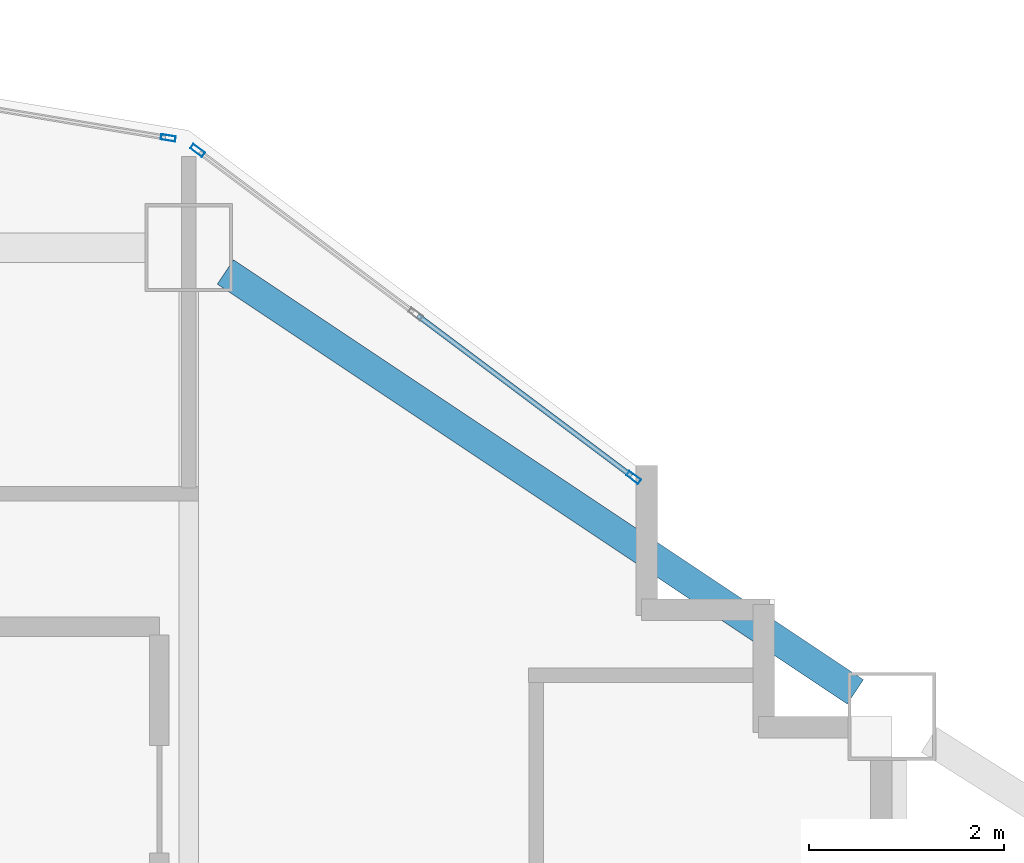
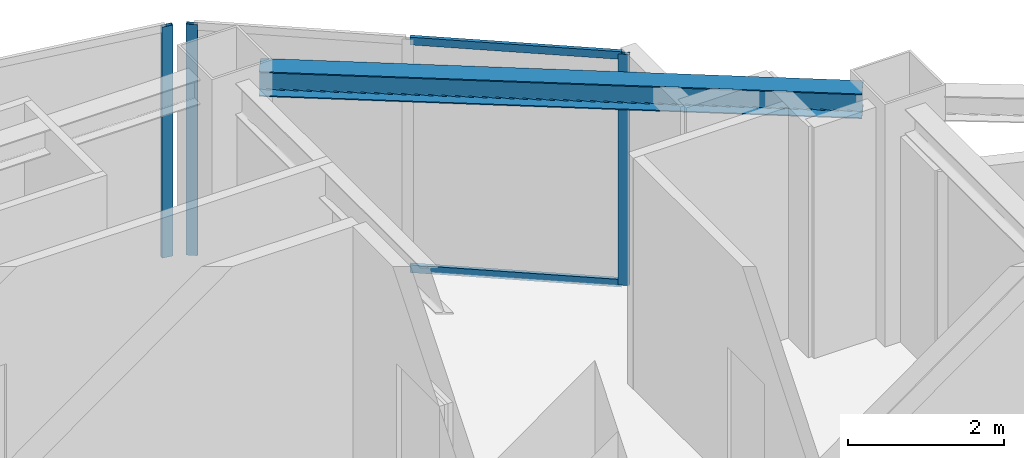
# One storey, part 3 of 11: 5 members, 1 beam, 2 elements without a shape of their own.
"""IFC4 building model written with IfcOpenShell, lengths in metres."""

import ifcopenshell
import ifcopenshell.guid

model = None  # the IFC model being written
_history = None  # IfcOwnerHistory: only IFC2X3 demands one
_inside = {}  # id of a spatial element -> (the spatial element, [elements in it])
_under = {}  # id of a project, library or spatial element -> (it, [spatial elements below it])
_declared = {}  # id of a project -> (the project, [libraries it declares])
_typed = {}  # id of a type object -> (the type object, [elements of that type])
_made_of = {}  # id of a material, layer set ... -> (it, [elements and type objects made of it])


def new_model(schema):
    """Start an empty IFC model of exactly this schema.

    Asked for "IFC4X3", IfcOpenShell would pick the latest addendum, in which some entities
    have other attributes; the version numbers below select the first issue.
    IFC2X3 requires an IfcOwnerHistory on every rooted entity: one is made here for all.
    """
    global model, _history
    if schema == "IFC4X3":
        model = ifcopenshell.file(schema_version=(4, 3, 0, 0))
    else:
        model = ifcopenshell.file(schema=schema)
    _inside.clear()
    _under.clear()
    _declared.clear()
    _typed.clear()
    _made_of.clear()
    _history = None
    if model.schema == "IFC2X3":
        org = make("IfcOrganization", Name="unknown")
        user = make(
            "IfcPersonAndOrganization",
            ThePerson=make("IfcPerson", FamilyName="unknown"),
            TheOrganization=org,
        )
        app = make(
            "IfcApplication",
            ApplicationDeveloper=org,
            Version="unknown",
            ApplicationFullName="unknown",
            ApplicationIdentifier="unknown",
        )
        _history = make(
            "IfcOwnerHistory",
            OwningUser=user,
            OwningApplication=app,
            ChangeAction="ADDED",
            CreationDate=0,
        )
    return model


def make(cls, **values):
    """One entity of the class cls with the attributes given. An attribute that is None is left unset."""
    return model.create_entity(
        cls, **{name: value for name, value in values.items() if value is not None}
    )


def rooted(cls, **values):
    """An entity with a GlobalId (a new one), such as an element, a storey or a relation."""
    return make(cls, GlobalId=ifcopenshell.guid.new(), OwnerHistory=_history, **values)


def si_unit(unit_type, name, prefix=None):
    """IfcSIUnit, for example si_unit("LENGTHUNIT", "METRE", prefix="MILLI")."""
    return make("IfcSIUnit", UnitType=unit_type, Prefix=prefix, Name=name)


def assignment(units):
    """IfcUnitAssignment: the units of a project."""
    return None if units is None else make("IfcUnitAssignment", Units=units)


def point(xyz):
    """IfcCartesianPoint."""
    return None if xyz is None else make("IfcCartesianPoint", Coordinates=xyz)


def direction(xyz):
    """IfcDirection."""
    return None if xyz is None else make("IfcDirection", DirectionRatios=xyz)


def frame(location, z_axis=None, x_axis=None):
    """IfcAxis2Placement3D, a coordinate frame: its origin and axes. An axis left out is left unset."""
    return make(
        "IfcAxis2Placement3D",
        Location=point(location),
        Axis=direction(z_axis),
        RefDirection=direction(x_axis),
    )


def frame_2d(location, x_axis=None):
    """IfcAxis2Placement2D, a coordinate frame in the plane: its origin and x axis."""
    return make(
        "IfcAxis2Placement2D", Location=point(location), RefDirection=direction(x_axis)
    )


def origin():
    """The frame at (0, 0, 0) with its axes left unset."""
    return frame((0.0, 0.0, 0.0))


def origin_2d():
    """The frame at (0, 0) in the plane with its x axis left unset."""
    return frame_2d((0.0, 0.0))


def place(relative_to, where):
    """IfcLocalPlacement: puts the frame where relative to a parent placement (None: the world)."""
    return make(
        "IfcLocalPlacement", PlacementRelTo=relative_to, RelativePlacement=where
    )


def context(
    kind, dimensions, precision=None, world=None, true_north=None, identifier=None
):
    """IfcGeometricRepresentationContext, for example the 3D "Model" context."""
    return make(
        "IfcGeometricRepresentationContext",
        ContextIdentifier=identifier,
        ContextType=kind,
        CoordinateSpaceDimension=dimensions,
        Precision=precision,
        WorldCoordinateSystem=world,
        TrueNorth=true_north,
    )


def subcontext(parent, identifier, kind, view, scale=None):
    """IfcGeometricRepresentationSubContext, for example "Body" below "Model"."""
    return make(
        "IfcGeometricRepresentationSubContext",
        ContextIdentifier=identifier,
        ContextType=kind,
        ParentContext=parent,
        TargetScale=scale,
        TargetView=view,
    )


def project(units=None, contexts=None):
    """IfcProject with its units and contexts."""
    return rooted(
        "IfcProject",
        Name="project",
        RepresentationContexts=contexts,
        UnitsInContext=assignment(units),
    )


def spatial(cls, under=None, at=None, **own):
    """A site, building, storey or space (cls), placed at a placement, below another one or the project."""
    s = rooted(cls, ObjectPlacement=at, **own)
    if under is not None:
        _under.setdefault(under.id(), (under, []))[1].append(s)
    return s


def profile(cls, at=None, kind="AREA", **sizes):
    """A parametric profile (cls). Its sizes go by their IFC names, for example OverallWidth=200.0."""
    return make(cls, ProfileType=kind, Position=at, **sizes)


def hollow_rectangle(**sizes):
    """IfcRectangleHollowProfileDef."""
    return profile("IfcRectangleHollowProfileDef", **sizes)


def i_section(**sizes):
    """IfcIShapeProfileDef."""
    return profile("IfcIShapeProfileDef", **sizes)


def extrude(swept, where, along, depth):
    """IfcExtrudedAreaSolid: the profile swept, set in the frame where, extruded along a direction by depth."""
    return make(
        "IfcExtrudedAreaSolid",
        SweptArea=swept,
        Position=where,
        ExtrudedDirection=direction(along),
        Depth=depth,
    )


def shape(context_of_items, identifier, shape_type, items):
    """IfcShapeRepresentation: the items that make up one representation, for example the "Body"."""
    return make(
        "IfcShapeRepresentation",
        ContextOfItems=context_of_items,
        RepresentationIdentifier=identifier,
        RepresentationType=shape_type,
        Items=items,
    )


def material(Name=None, Category=None):
    """IfcMaterial."""
    return make("IfcMaterial", Name=Name, Category=Category)


def layer(
    of_material, thickness, ventilated=None, Name=None, Category=None, Priority=None
):
    """IfcMaterialLayer: one layer of a wall or slab, of a material (None: an air gap)."""
    return make(
        "IfcMaterialLayer",
        Material=of_material,
        LayerThickness=thickness,
        IsVentilated=ventilated,
        Name=Name,
        Category=Category,
        Priority=Priority,
    )


def layer_set(layers, Name=None):
    """IfcMaterialLayerSet."""
    return make("IfcMaterialLayerSet", MaterialLayers=layers, LayerSetName=Name)


def material_profile(
    of_material, cross_section, Name=None, Category=None, Priority=None
):
    """IfcMaterialProfile: a cross section and its material."""
    return make(
        "IfcMaterialProfile",
        Name=Name,
        Material=of_material,
        Profile=cross_section,
        Priority=Priority,
        Category=Category,
    )


def profile_set(profiles, Name=None, composite=None):
    """IfcMaterialProfileSet."""
    return make(
        "IfcMaterialProfileSet",
        Name=Name,
        MaterialProfiles=profiles,
        CompositeProfile=composite,
    )


def made_of(thing, what):
    """Note that an element or type object is made of a material, layer set ...; save() writes the relation."""
    if what is not None:
        _made_of.setdefault(what.id(), (what, []))[1].append(thing)
    return thing


def type_object(cls, material=None, **own):
    """A type object (cls), such as IfcWallType, which elements share."""
    return made_of(rooted(cls, **own), material)


def element(
    cls,
    number,
    at=None,
    inside=None,
    cuts=None,
    type_object=None,
    material=None,
    context=None,
    identifier="Body",
    shape_type=None,
    held_by="IfcProductDefinitionShape",
    body=None,
    shapes=None,
    **own,
):
    """One element of the class cls, such as IfcWall. Its Tag is "e" and its number.

    at: its placement. inside: the storey or other place that contains it. cuts: it is an
    opening in that element (IfcRelVoidsElement). A single representation is given by context,
    identifier, shape_type and body (its items); several are given by shapes. held_by: the class
    of the entity that holds the representations. save() writes the other relations.
    """
    e = rooted(cls, Tag="e%d" % number, ObjectPlacement=at, **own)
    if body is not None:
        shapes = [shape(context, identifier, shape_type, body)]
    if shapes is not None:
        e.Representation = make(held_by, Representations=shapes)
    if inside is not None:
        _inside.setdefault(inside.id(), (inside, []))[1].append(e)
    if cuts is not None:
        rooted(
            "IfcRelVoidsElement", RelatingBuildingElement=cuts, RelatedOpeningElement=e
        )
    if type_object is not None:
        _typed.setdefault(type_object.id(), (type_object, []))[1].append(e)
    return made_of(e, material)


def aggregate(whole, parts):
    """IfcRelAggregates: a whole, such as a stair, and the parts it consists of."""
    return rooted("IfcRelAggregates", RelatingObject=whole, RelatedObjects=parts)


def save(model, path):
    """Write the relations noted so far, then the file.

    IfcRelAggregates (storeys below a building ...), IfcRelContainedInSpatialStructure (elements
    in a storey), IfcRelDefinesByType, IfcRelAssociatesMaterial and IfcRelDeclares: one each for
    every whole, place, type object, material and project.
    """
    for whole, parts in _under.values():
        aggregate(whole, parts)
    for where, things in _inside.values():
        rooted(
            "IfcRelContainedInSpatialStructure",
            RelatedElements=things,
            RelatingStructure=where,
        )
    for kind, things in _typed.values():
        rooted("IfcRelDefinesByType", RelatedObjects=things, RelatingType=kind)
    for what, things in _made_of.values():
        rooted("IfcRelAssociatesMaterial", RelatedObjects=things, RelatingMaterial=what)
    for by, libraries in _declared.values():
        rooted("IfcRelDeclares", RelatingContext=by, RelatedDefinitions=libraries)
    model.write(path)


model = new_model("IFC4")

# Units and contexts
model_context = context("Model", 3, precision=1e-05, world=origin(), true_north=direction((0.0, 1.0)))
body_context = subcontext(model_context, "Body", "Model", "MODEL_VIEW")
ifc_project = project(units=[si_unit("LENGTHUNIT", "METRE"), si_unit("AREAUNIT", "SQUARE_METRE"), si_unit("VOLUMEUNIT", "CUBIC_METRE"), si_unit("PLANEANGLEUNIT", "RADIAN"), si_unit("MASSUNIT", "GRAM", prefix="KILO")], contexts=[model_context])

# Site, building, storey
site_placement = place(None, origin())
site = spatial("IfcSite", under=ifc_project, at=site_placement, CompositionType="ELEMENT")
building_placement = place(site_placement, origin())
building = spatial("IfcBuilding", under=site, at=building_placement, Name="Haolan Belvedere Tower", CompositionType="ELEMENT")
storey_placement = place(building_placement, frame((0.0, 0.0, 191.800048828125)))
storey = spatial("IfcBuildingStorey", under=building, at=storey_placement, Name="L48", CompositionType="ELEMENT", Elevation=191.800048828125)

# Beam
ifc_material_1 = material(Name="Steel Q355B", Category="steel")
ifc_material_profile_1 = material_profile(ifc_material_1, i_section(OverallWidth=0.300048828125, OverallDepth=0.389892578125, WebThickness=0.010009765625, FlangeThickness=0.01611328125, FilletRadius=0.02197265625, at=origin_2d()), Name="Steel Q355B")
ifc_profile_set_1 = profile_set([ifc_material_profile_1], Name="Steel Q355B")
beam_type = type_object("IfcBeamType", Name="BM-HM390x300x10x16", PredefinedType="SPANDREL", material=ifc_profile_set_1)
beam_placement = place(storey_placement, frame((45.974365234375, 50.150390625, 3.425048828125), z_axis=(0.832050294338, -0.554700196225, 0.0), x_axis=(0.554700196225, 0.832050294338, 0.0)))
element("IfcBeam", 1, at=beam_placement, inside=storey, type_object=beam_type, Name="L48 spandrel girder MC-T3-N2-MC-T3-NE", PredefinedType="SPANDREL", context=body_context, shape_type="SweptSolid", body=[
    extrude(i_section(OverallWidth=0.300048828125, OverallDepth=0.389892578125, WebThickness=0.010009765625, FlangeThickness=0.01611328125, FilletRadius=0.02197265625, at=origin_2d()), origin(), (0.0, 0.0, 1.0), 7.75341796875),
])

# Curtain wall, members
ifc_material_2 = material(Name="Anodised champagne-silver aluminium 6063-T6 and Low-E glass", Category="aluminium")
ifc_layer = layer(ifc_material_2, 0.14990234375, Name="Anodised champagne-silver aluminium 6063-T6 and Low-E glass")
ifc_layer_set = layer_set([ifc_layer], Name="Anodised champagne-silver aluminium 6063-T6 and Low-E glass")
curtain_wall_type = type_object("IfcCurtainWallType", Name="CW-SYS-04", PredefinedType="NOTDEFINED", material=ifc_layer_set)
curtain_wall_1_placement = place(storey_placement, origin())
curtain_wall_1 = element("IfcCurtainWall", 2, at=curtain_wall_1_placement, inside=storey, type_object=curtain_wall_type, Name="L48 CW-SYS-04 ribbon curtain wall 20.1", PredefinedType="NOTDEFINED")
ifc_material_3 = material(Name="Anodised aluminium 6063-T6", Category="aluminium")
ifc_material_profile_2 = material_profile(ifc_material_3, hollow_rectangle(XDim=0.055908203125, YDim=0.14990234375, WallThickness=0.00390625, at=origin_2d()), Name="Anodised aluminium 6063-T6")
ifc_profile_set_2 = profile_set([ifc_material_profile_2], Name="Anodised aluminium 6063-T6")
member_type_1 = type_object("IfcMemberType", Name="CW-SYS-04-MUL", PredefinedType="MULLION", material=ifc_profile_set_2)
member_1_placement = place(storey_placement, frame((50.155517578125, 48.0458984375, 0.0), z_axis=(0.0, 0.0, 1.0), x_axis=(-0.600002837806, -0.799997871638, 0.0)))
member_1 = element("IfcMember", 3, at=member_1_placement, type_object=member_type_1, Name="CW-04 mullion 1", PredefinedType="MULLION", context=body_context, shape_type="SweptSolid", body=[
    extrude(hollow_rectangle(XDim=0.055908203125, YDim=0.14990234375, WallThickness=0.00390625, at=origin_2d()), origin(), (0.0, 0.0, 1.0), 3.619873046875),
])
member_2_placement = place(storey_placement, frame((45.68994140625, 51.39501953125, 0.0), z_axis=(0.0, 0.0, 1.0), x_axis=(-0.600002837806, -0.799997871638, 0.0)))
member_2 = element("IfcMember", 4, at=member_2_placement, type_object=member_type_1, Name="CW-04 mullion 3", PredefinedType="MULLION", context=body_context, shape_type="SweptSolid", body=[
    extrude(hollow_rectangle(XDim=0.055908203125, YDim=0.14990234375, WallThickness=0.00390625, at=origin_2d()), origin(), (0.0, 0.0, 1.0), 3.619873046875),
])

# Curtain wall, member
curtain_wall_2_placement = place(storey_placement, origin())
curtain_wall_2 = element("IfcCurtainWall", 5, at=curtain_wall_2_placement, inside=storey, type_object=curtain_wall_type, Name="L48 CW-SYS-04 ribbon curtain wall 21.1", PredefinedType="NOTDEFINED")
member_3_placement = place(storey_placement, frame((45.389892578125, 51.5234375, 0.0), z_axis=(0.0, 0.0, 1.0), x_axis=(-0.164405962825, -0.98639276122, 0.0)))
member_3 = element("IfcMember", 6, at=member_3_placement, type_object=member_type_1, Name="CW-04 mullion 1", PredefinedType="MULLION", context=body_context, shape_type="SweptSolid", body=[
    extrude(hollow_rectangle(XDim=0.055908203125, YDim=0.14990234375, WallThickness=0.00390625, at=origin_2d()), origin(), (0.0, 0.0, 1.0), 3.619873046875),
])
aggregate(curtain_wall_2, [member_3])

# Member
ifc_material_profile_3 = material_profile(ifc_material_3, hollow_rectangle(XDim=0.052001953125, YDim=0.1201171875, WallThickness=0.00390625, at=origin_2d()), Name="Anodised aluminium 6063-T6")
ifc_profile_set_3 = profile_set([ifc_material_profile_3], Name="Anodised aluminium 6063-T6")
member_type_2 = type_object("IfcMemberType", Name="CW-SYS-04-TRN", PredefinedType="USERDEFINED", material=ifc_profile_set_3)
member_4_placement = place(storey_placement, frame((50.13330078125, 48.0625, 0.02587890625), z_axis=(-0.800010710715, 0.59998571878, 0.0), x_axis=(-0.59998571878, -0.800010710715, 0.0)))
member_4 = element("IfcMember", 7, at=member_4_placement, type_object=member_type_2, Name="CW-04 transom 1.1", ObjectType="TRANSOM", PredefinedType="USERDEFINED", context=body_context, shape_type="SweptSolid", body=[
    extrude(hollow_rectangle(XDim=0.052001953125, YDim=0.1201171875, WallThickness=0.00390625, at=origin_2d()), origin(), (0.0, 0.0, 1.0), 2.7353515625),
])

member_5_placement = place(storey_placement, frame((50.13330078125, 48.0625, 3.593994140625), z_axis=(-0.800010710715, 0.59998571878, 0.0), x_axis=(-0.59998571878, -0.800010710715, 0.0)))
member_5 = element("IfcMember", 8, at=member_5_placement, type_object=member_type_2, Name="CW-04 transom 1.2", ObjectType="TRANSOM", PredefinedType="USERDEFINED", context=body_context, shape_type="SweptSolid", body=[
    extrude(hollow_rectangle(XDim=0.052001953125, YDim=0.1201171875, WallThickness=0.00390625, at=origin_2d()), origin(), (0.0, 0.0, 1.0), 2.7353515625),
])

aggregate(curtain_wall_1, [member_1, member_2, member_4, member_5])

save(model, "model.ifc")
